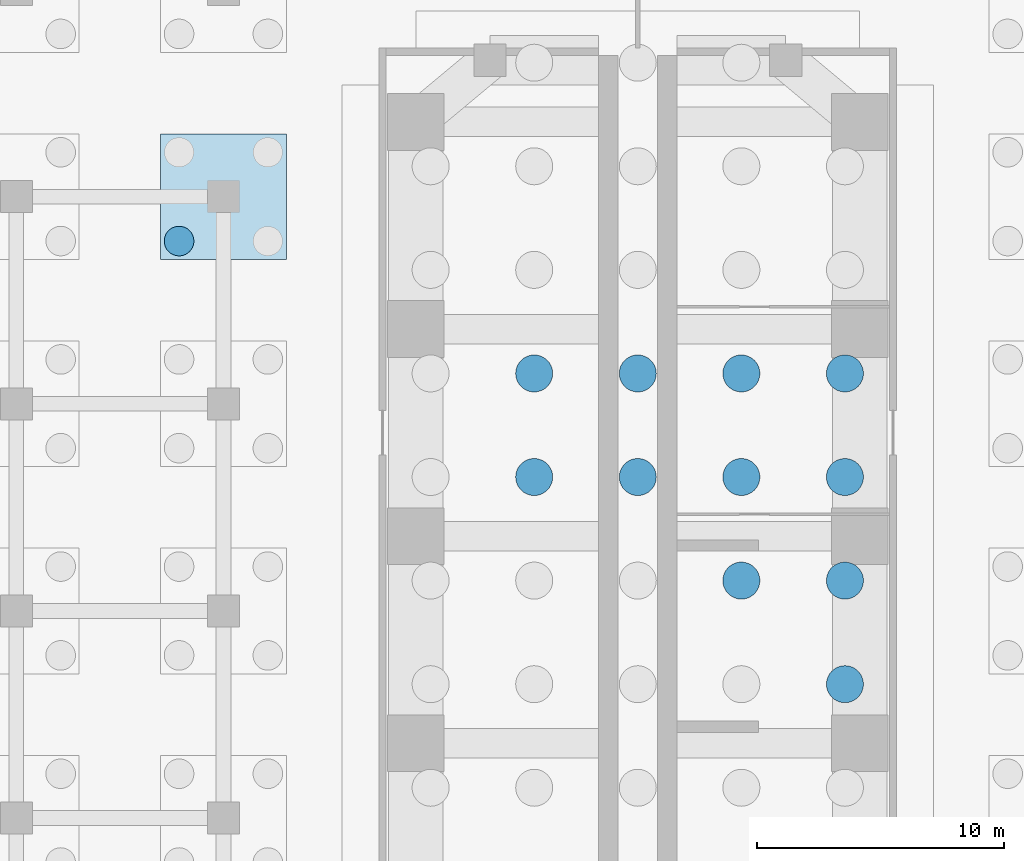
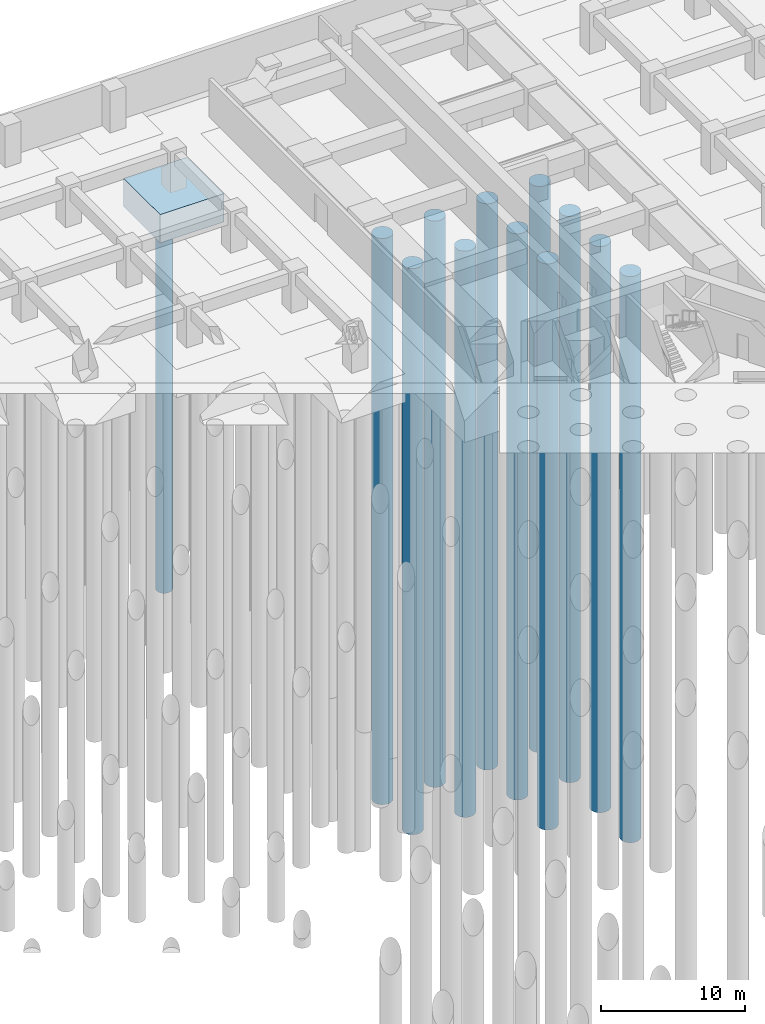
# One storey, part 38 of 73: 12 piles, 1 footing.
"""IFC4 building model written with IfcOpenShell, lengths in metres."""

from ifc_helpers import new_model, si_unit, direction, frame, origin, origin_2d, place, context, subcontext, project, spatial, polyline, circle, outline, extrude, material, material_profile, profile_set, type_object, element, save


model = new_model("IFC4")

# Units and contexts
model_context = context("Model", 3, precision=1e-05, world=origin(), true_north=direction((0.0, 1.0)))
body_context = subcontext(model_context, "Body", "Model", "MODEL_VIEW")
ifc_project = project(units=[si_unit("LENGTHUNIT", "METRE"), si_unit("AREAUNIT", "SQUARE_METRE"), si_unit("VOLUMEUNIT", "CUBIC_METRE"), si_unit("PLANEANGLEUNIT", "RADIAN"), si_unit("MASSUNIT", "GRAM", prefix="KILO")], contexts=[model_context])

# Site, building, storey
site_placement = place(None, origin())
site = spatial("IfcSite", under=ifc_project, at=site_placement, CompositionType="ELEMENT")
building_placement = place(site_placement, origin())
building = spatial("IfcBuilding", under=site, at=building_placement, Name="Impinga Residences", CompositionType="ELEMENT")
storey_placement = place(building_placement, frame((0.0, 0.0, -10.5)))
storey = spatial("IfcBuildingStorey", under=building, at=storey_placement, Name="B3", CompositionType="ELEMENT", Elevation=-10.5)

# Piles
ifc_material_1 = material(Name="Concrete C35/45", Category="concrete")
ifc_material_profile_1 = material_profile(ifc_material_1, circle(Radius=0.75, at=origin_2d()), Name="D1500")
ifc_profile_set_1 = profile_set([ifc_material_profile_1], Name="Concrete C35/45")
pile_type_1 = type_object("IfcPileType", Name="BP1 bored pile D1500", PredefinedType="BORED", material=ifc_profile_set_1)
pile_1_placement = place(storey_placement, frame((8.39990234375, 22.2314453125, -4.0), z_axis=(0.0, 0.0, -1.0), x_axis=(1.0, 0.0, 0.0)))
element("IfcPile", 1, at=pile_1_placement, inside=storey, type_object=pile_type_1, Name="Raft pile BP1-123", PredefinedType="BORED", context=body_context, shape_type="SweptSolid", body=[
    extrude(outline(polyline([(0.75, 0.0), (0.746337890625, 0.073486328125), (0.735595703125, 0.146240234375), (0.7177734375, 0.2177734375), (0.69287109375, 0.287109375), (0.661376953125, 0.353515625), (0.62353515625, 0.416748046875), (0.579833984375, 0.475830078125), (0.5302734375, 0.5302734375), (0.475830078125, 0.579833984375), (0.416748046875, 0.62353515625), (0.353515625, 0.661376953125), (0.287109375, 0.69287109375), (0.2177734375, 0.7177734375), (0.146240234375, 0.735595703125), (0.073486328125, 0.746337890625), (0.0, 0.75), (-0.073486328125, 0.746337890625), (-0.146240234375, 0.735595703125), (-0.2177734375, 0.7177734375), (-0.287109375, 0.69287109375), (-0.353515625, 0.661376953125), (-0.416748046875, 0.62353515625), (-0.475830078125, 0.579833984375), (-0.5302734375, 0.5302734375), (-0.579833984375, 0.475830078125), (-0.62353515625, 0.416748046875), (-0.661376953125, 0.353515625), (-0.69287109375, 0.287109375), (-0.7177734375, 0.2177734375), (-0.735595703125, 0.146240234375), (-0.746337890625, 0.073486328125), (-0.75, 0.0), (-0.746337890625, -0.073486328125), (-0.735595703125, -0.146240234375), (-0.7177734375, -0.2177734375), (-0.69287109375, -0.287109375), (-0.661376953125, -0.353515625), (-0.62353515625, -0.416748046875), (-0.579833984375, -0.475830078125), (-0.5302734375, -0.5302734375), (-0.475830078125, -0.579833984375), (-0.416748046875, -0.62353515625), (-0.353515625, -0.661376953125), (-0.287109375, -0.69287109375), (-0.2177734375, -0.7177734375), (-0.146240234375, -0.735595703125), (-0.073486328125, -0.746337890625), (0.0, -0.75), (0.073486328125, -0.746337890625), (0.146240234375, -0.735595703125), (0.2177734375, -0.7177734375), (0.287109375, -0.69287109375), (0.353515625, -0.661376953125), (0.416748046875, -0.62353515625), (0.475830078125, -0.579833984375), (0.5302734375, -0.5302734375), (0.579833984375, -0.475830078125), (0.62353515625, -0.416748046875), (0.661376953125, -0.353515625), (0.69287109375, -0.287109375), (0.7177734375, -0.2177734375), (0.735595703125, -0.146240234375), (0.746337890625, -0.073486328125), (0.75, 0.0)])), origin(), (0.0, 0.0, 1.0), 48.0),
])
pile_2_placement = place(storey_placement, frame((4.199951171875, 26.431640625, -4.0), z_axis=(0.0, 0.0, -1.0), x_axis=(1.0, 0.0, 0.0)))
element("IfcPile", 2, at=pile_2_placement, inside=storey, type_object=pile_type_1, Name="Raft pile BP1-127", PredefinedType="BORED", context=body_context, shape_type="SweptSolid", body=[
    extrude(outline(polyline([(0.75, 0.0), (0.746337890625, 0.073486328125), (0.735595703125, 0.146240234375), (0.7177734375, 0.2177734375), (0.69287109375, 0.287109375), (0.661376953125, 0.353515625), (0.62353515625, 0.416748046875), (0.579833984375, 0.475830078125), (0.5302734375, 0.5302734375), (0.475830078125, 0.579833984375), (0.416748046875, 0.62353515625), (0.353515625, 0.661376953125), (0.287109375, 0.69287109375), (0.2177734375, 0.7177734375), (0.146240234375, 0.735595703125), (0.073486328125, 0.746337890625), (0.0, 0.75), (-0.073486328125, 0.746337890625), (-0.146240234375, 0.735595703125), (-0.2177734375, 0.7177734375), (-0.287109375, 0.69287109375), (-0.353515625, 0.661376953125), (-0.416748046875, 0.62353515625), (-0.475830078125, 0.579833984375), (-0.5302734375, 0.5302734375), (-0.579833984375, 0.475830078125), (-0.62353515625, 0.416748046875), (-0.661376953125, 0.353515625), (-0.69287109375, 0.287109375), (-0.7177734375, 0.2177734375), (-0.735595703125, 0.146240234375), (-0.746337890625, 0.073486328125), (-0.75, 0.0), (-0.746337890625, -0.073486328125), (-0.735595703125, -0.146240234375), (-0.7177734375, -0.2177734375), (-0.69287109375, -0.287109375), (-0.661376953125, -0.353515625), (-0.62353515625, -0.416748046875), (-0.579833984375, -0.475830078125), (-0.5302734375, -0.5302734375), (-0.475830078125, -0.579833984375), (-0.416748046875, -0.62353515625), (-0.353515625, -0.661376953125), (-0.287109375, -0.69287109375), (-0.2177734375, -0.7177734375), (-0.146240234375, -0.735595703125), (-0.073486328125, -0.746337890625), (0.0, -0.75), (0.073486328125, -0.746337890625), (0.146240234375, -0.735595703125), (0.2177734375, -0.7177734375), (0.287109375, -0.69287109375), (0.353515625, -0.661376953125), (0.416748046875, -0.62353515625), (0.475830078125, -0.579833984375), (0.5302734375, -0.5302734375), (0.579833984375, -0.475830078125), (0.62353515625, -0.416748046875), (0.661376953125, -0.353515625), (0.69287109375, -0.287109375), (0.7177734375, -0.2177734375), (0.735595703125, -0.146240234375), (0.746337890625, -0.073486328125), (0.75, 0.0)])), origin(), (0.0, 0.0, 1.0), 48.0),
])
pile_3_placement = place(storey_placement, frame((8.39990234375, 26.431640625, -4.0), z_axis=(0.0, 0.0, -1.0), x_axis=(1.0, 0.0, 0.0)))
element("IfcPile", 3, at=pile_3_placement, inside=storey, type_object=pile_type_1, Name="Raft pile BP1-128", PredefinedType="BORED", context=body_context, shape_type="SweptSolid", body=[
    extrude(outline(polyline([(0.75, 0.0), (0.746337890625, 0.073486328125), (0.735595703125, 0.146240234375), (0.7177734375, 0.2177734375), (0.69287109375, 0.287109375), (0.661376953125, 0.353515625), (0.62353515625, 0.416748046875), (0.579833984375, 0.475830078125), (0.5302734375, 0.5302734375), (0.475830078125, 0.579833984375), (0.416748046875, 0.62353515625), (0.353515625, 0.661376953125), (0.287109375, 0.69287109375), (0.2177734375, 0.7177734375), (0.146240234375, 0.735595703125), (0.073486328125, 0.746337890625), (0.0, 0.75), (-0.073486328125, 0.746337890625), (-0.146240234375, 0.735595703125), (-0.2177734375, 0.7177734375), (-0.287109375, 0.69287109375), (-0.353515625, 0.661376953125), (-0.416748046875, 0.62353515625), (-0.475830078125, 0.579833984375), (-0.5302734375, 0.5302734375), (-0.579833984375, 0.475830078125), (-0.62353515625, 0.416748046875), (-0.661376953125, 0.353515625), (-0.69287109375, 0.287109375), (-0.7177734375, 0.2177734375), (-0.735595703125, 0.146240234375), (-0.746337890625, 0.073486328125), (-0.75, 0.0), (-0.746337890625, -0.073486328125), (-0.735595703125, -0.146240234375), (-0.7177734375, -0.2177734375), (-0.69287109375, -0.287109375), (-0.661376953125, -0.353515625), (-0.62353515625, -0.416748046875), (-0.579833984375, -0.475830078125), (-0.5302734375, -0.5302734375), (-0.475830078125, -0.579833984375), (-0.416748046875, -0.62353515625), (-0.353515625, -0.661376953125), (-0.287109375, -0.69287109375), (-0.2177734375, -0.7177734375), (-0.146240234375, -0.735595703125), (-0.073486328125, -0.746337890625), (0.0, -0.75), (0.073486328125, -0.746337890625), (0.146240234375, -0.735595703125), (0.2177734375, -0.7177734375), (0.287109375, -0.69287109375), (0.353515625, -0.661376953125), (0.416748046875, -0.62353515625), (0.475830078125, -0.579833984375), (0.5302734375, -0.5302734375), (0.579833984375, -0.475830078125), (0.62353515625, -0.416748046875), (0.661376953125, -0.353515625), (0.69287109375, -0.287109375), (0.7177734375, -0.2177734375), (0.735595703125, -0.146240234375), (0.746337890625, -0.073486328125), (0.75, 0.0)])), origin(), (0.0, 0.0, 1.0), 48.0),
])
pile_4_placement = place(storey_placement, frame((-4.199951171875, 30.631591796875, -4.0), z_axis=(0.0, 0.0, -1.0), x_axis=(1.0, 0.0, 0.0)))
element("IfcPile", 4, at=pile_4_placement, inside=storey, type_object=pile_type_1, Name="Raft pile BP1-130", PredefinedType="BORED", context=body_context, shape_type="SweptSolid", body=[
    extrude(outline(polyline([(0.75, 0.0), (0.746337890625, 0.073486328125), (0.735595703125, 0.146240234375), (0.7177734375, 0.2177734375), (0.69287109375, 0.287109375), (0.661376953125, 0.353515625), (0.62353515625, 0.416748046875), (0.579833984375, 0.475830078125), (0.5302734375, 0.5302734375), (0.475830078125, 0.579833984375), (0.416748046875, 0.62353515625), (0.353515625, 0.661376953125), (0.287109375, 0.69287109375), (0.2177734375, 0.7177734375), (0.146240234375, 0.735595703125), (0.073486328125, 0.746337890625), (0.0, 0.75), (-0.073486328125, 0.746337890625), (-0.146240234375, 0.735595703125), (-0.2177734375, 0.7177734375), (-0.287109375, 0.69287109375), (-0.353515625, 0.661376953125), (-0.416748046875, 0.62353515625), (-0.475830078125, 0.579833984375), (-0.5302734375, 0.5302734375), (-0.579833984375, 0.475830078125), (-0.62353515625, 0.416748046875), (-0.661376953125, 0.353515625), (-0.69287109375, 0.287109375), (-0.7177734375, 0.2177734375), (-0.735595703125, 0.146240234375), (-0.746337890625, 0.073486328125), (-0.75, 0.0), (-0.746337890625, -0.073486328125), (-0.735595703125, -0.146240234375), (-0.7177734375, -0.2177734375), (-0.69287109375, -0.287109375), (-0.661376953125, -0.353515625), (-0.62353515625, -0.416748046875), (-0.579833984375, -0.475830078125), (-0.5302734375, -0.5302734375), (-0.475830078125, -0.579833984375), (-0.416748046875, -0.62353515625), (-0.353515625, -0.661376953125), (-0.287109375, -0.69287109375), (-0.2177734375, -0.7177734375), (-0.146240234375, -0.735595703125), (-0.073486328125, -0.746337890625), (0.0, -0.75), (0.073486328125, -0.746337890625), (0.146240234375, -0.735595703125), (0.2177734375, -0.7177734375), (0.287109375, -0.69287109375), (0.353515625, -0.661376953125), (0.416748046875, -0.62353515625), (0.475830078125, -0.579833984375), (0.5302734375, -0.5302734375), (0.579833984375, -0.475830078125), (0.62353515625, -0.416748046875), (0.661376953125, -0.353515625), (0.69287109375, -0.287109375), (0.7177734375, -0.2177734375), (0.735595703125, -0.146240234375), (0.746337890625, -0.073486328125), (0.75, 0.0)])), origin(), (0.0, 0.0, 1.0), 48.0),
])
pile_5_placement = place(storey_placement, frame((0.0, 30.631591796875, -4.0), z_axis=(0.0, 0.0, -1.0), x_axis=(1.0, 0.0, 0.0)))
element("IfcPile", 5, at=pile_5_placement, inside=storey, type_object=pile_type_1, Name="Raft pile BP1-131", PredefinedType="BORED", context=body_context, shape_type="SweptSolid", body=[
    extrude(outline(polyline([(0.75, 0.0), (0.746337890625, 0.073486328125), (0.735595703125, 0.146240234375), (0.7177734375, 0.2177734375), (0.69287109375, 0.287109375), (0.661376953125, 0.353515625), (0.62353515625, 0.416748046875), (0.579833984375, 0.475830078125), (0.5302734375, 0.5302734375), (0.475830078125, 0.579833984375), (0.416748046875, 0.62353515625), (0.353515625, 0.661376953125), (0.287109375, 0.69287109375), (0.2177734375, 0.7177734375), (0.146240234375, 0.735595703125), (0.073486328125, 0.746337890625), (0.0, 0.75), (-0.073486328125, 0.746337890625), (-0.146240234375, 0.735595703125), (-0.2177734375, 0.7177734375), (-0.287109375, 0.69287109375), (-0.353515625, 0.661376953125), (-0.416748046875, 0.62353515625), (-0.475830078125, 0.579833984375), (-0.5302734375, 0.5302734375), (-0.579833984375, 0.475830078125), (-0.62353515625, 0.416748046875), (-0.661376953125, 0.353515625), (-0.69287109375, 0.287109375), (-0.7177734375, 0.2177734375), (-0.735595703125, 0.146240234375), (-0.746337890625, 0.073486328125), (-0.75, 0.0), (-0.746337890625, -0.073486328125), (-0.735595703125, -0.146240234375), (-0.7177734375, -0.2177734375), (-0.69287109375, -0.287109375), (-0.661376953125, -0.353515625), (-0.62353515625, -0.416748046875), (-0.579833984375, -0.475830078125), (-0.5302734375, -0.5302734375), (-0.475830078125, -0.579833984375), (-0.416748046875, -0.62353515625), (-0.353515625, -0.661376953125), (-0.287109375, -0.69287109375), (-0.2177734375, -0.7177734375), (-0.146240234375, -0.735595703125), (-0.073486328125, -0.746337890625), (0.0, -0.75), (0.073486328125, -0.746337890625), (0.146240234375, -0.735595703125), (0.2177734375, -0.7177734375), (0.287109375, -0.69287109375), (0.353515625, -0.661376953125), (0.416748046875, -0.62353515625), (0.475830078125, -0.579833984375), (0.5302734375, -0.5302734375), (0.579833984375, -0.475830078125), (0.62353515625, -0.416748046875), (0.661376953125, -0.353515625), (0.69287109375, -0.287109375), (0.7177734375, -0.2177734375), (0.735595703125, -0.146240234375), (0.746337890625, -0.073486328125), (0.75, 0.0)])), origin(), (0.0, 0.0, 1.0), 48.0),
])
pile_6_placement = place(storey_placement, frame((4.199951171875, 30.631591796875, -4.0), z_axis=(0.0, 0.0, -1.0), x_axis=(1.0, 0.0, 0.0)))
element("IfcPile", 6, at=pile_6_placement, inside=storey, type_object=pile_type_1, Name="Raft pile BP1-132", PredefinedType="BORED", context=body_context, shape_type="SweptSolid", body=[
    extrude(outline(polyline([(0.75, 0.0), (0.746337890625, 0.073486328125), (0.735595703125, 0.146240234375), (0.7177734375, 0.2177734375), (0.69287109375, 0.287109375), (0.661376953125, 0.353515625), (0.62353515625, 0.416748046875), (0.579833984375, 0.475830078125), (0.5302734375, 0.5302734375), (0.475830078125, 0.579833984375), (0.416748046875, 0.62353515625), (0.353515625, 0.661376953125), (0.287109375, 0.69287109375), (0.2177734375, 0.7177734375), (0.146240234375, 0.735595703125), (0.073486328125, 0.746337890625), (0.0, 0.75), (-0.073486328125, 0.746337890625), (-0.146240234375, 0.735595703125), (-0.2177734375, 0.7177734375), (-0.287109375, 0.69287109375), (-0.353515625, 0.661376953125), (-0.416748046875, 0.62353515625), (-0.475830078125, 0.579833984375), (-0.5302734375, 0.5302734375), (-0.579833984375, 0.475830078125), (-0.62353515625, 0.416748046875), (-0.661376953125, 0.353515625), (-0.69287109375, 0.287109375), (-0.7177734375, 0.2177734375), (-0.735595703125, 0.146240234375), (-0.746337890625, 0.073486328125), (-0.75, 0.0), (-0.746337890625, -0.073486328125), (-0.735595703125, -0.146240234375), (-0.7177734375, -0.2177734375), (-0.69287109375, -0.287109375), (-0.661376953125, -0.353515625), (-0.62353515625, -0.416748046875), (-0.579833984375, -0.475830078125), (-0.5302734375, -0.5302734375), (-0.475830078125, -0.579833984375), (-0.416748046875, -0.62353515625), (-0.353515625, -0.661376953125), (-0.287109375, -0.69287109375), (-0.2177734375, -0.7177734375), (-0.146240234375, -0.735595703125), (-0.073486328125, -0.746337890625), (0.0, -0.75), (0.073486328125, -0.746337890625), (0.146240234375, -0.735595703125), (0.2177734375, -0.7177734375), (0.287109375, -0.69287109375), (0.353515625, -0.661376953125), (0.416748046875, -0.62353515625), (0.475830078125, -0.579833984375), (0.5302734375, -0.5302734375), (0.579833984375, -0.475830078125), (0.62353515625, -0.416748046875), (0.661376953125, -0.353515625), (0.69287109375, -0.287109375), (0.7177734375, -0.2177734375), (0.735595703125, -0.146240234375), (0.746337890625, -0.073486328125), (0.75, 0.0)])), origin(), (0.0, 0.0, 1.0), 48.0),
])
pile_7_placement = place(storey_placement, frame((8.39990234375, 30.631591796875, -4.0), z_axis=(0.0, 0.0, -1.0), x_axis=(1.0, 0.0, 0.0)))
element("IfcPile", 7, at=pile_7_placement, inside=storey, type_object=pile_type_1, Name="Raft pile BP1-133", PredefinedType="BORED", context=body_context, shape_type="SweptSolid", body=[
    extrude(outline(polyline([(0.75, 0.0), (0.746337890625, 0.073486328125), (0.735595703125, 0.146240234375), (0.7177734375, 0.2177734375), (0.69287109375, 0.287109375), (0.661376953125, 0.353515625), (0.62353515625, 0.416748046875), (0.579833984375, 0.475830078125), (0.5302734375, 0.5302734375), (0.475830078125, 0.579833984375), (0.416748046875, 0.62353515625), (0.353515625, 0.661376953125), (0.287109375, 0.69287109375), (0.2177734375, 0.7177734375), (0.146240234375, 0.735595703125), (0.073486328125, 0.746337890625), (0.0, 0.75), (-0.073486328125, 0.746337890625), (-0.146240234375, 0.735595703125), (-0.2177734375, 0.7177734375), (-0.287109375, 0.69287109375), (-0.353515625, 0.661376953125), (-0.416748046875, 0.62353515625), (-0.475830078125, 0.579833984375), (-0.5302734375, 0.5302734375), (-0.579833984375, 0.475830078125), (-0.62353515625, 0.416748046875), (-0.661376953125, 0.353515625), (-0.69287109375, 0.287109375), (-0.7177734375, 0.2177734375), (-0.735595703125, 0.146240234375), (-0.746337890625, 0.073486328125), (-0.75, 0.0), (-0.746337890625, -0.073486328125), (-0.735595703125, -0.146240234375), (-0.7177734375, -0.2177734375), (-0.69287109375, -0.287109375), (-0.661376953125, -0.353515625), (-0.62353515625, -0.416748046875), (-0.579833984375, -0.475830078125), (-0.5302734375, -0.5302734375), (-0.475830078125, -0.579833984375), (-0.416748046875, -0.62353515625), (-0.353515625, -0.661376953125), (-0.287109375, -0.69287109375), (-0.2177734375, -0.7177734375), (-0.146240234375, -0.735595703125), (-0.073486328125, -0.746337890625), (0.0, -0.75), (0.073486328125, -0.746337890625), (0.146240234375, -0.735595703125), (0.2177734375, -0.7177734375), (0.287109375, -0.69287109375), (0.353515625, -0.661376953125), (0.416748046875, -0.62353515625), (0.475830078125, -0.579833984375), (0.5302734375, -0.5302734375), (0.579833984375, -0.475830078125), (0.62353515625, -0.416748046875), (0.661376953125, -0.353515625), (0.69287109375, -0.287109375), (0.7177734375, -0.2177734375), (0.735595703125, -0.146240234375), (0.746337890625, -0.073486328125), (0.75, 0.0)])), origin(), (0.0, 0.0, 1.0), 48.0),
])
pile_8_placement = place(storey_placement, frame((-4.199951171875, 34.83154296875, -4.0), z_axis=(0.0, 0.0, -1.0), x_axis=(1.0, 0.0, 0.0)))
element("IfcPile", 8, at=pile_8_placement, inside=storey, type_object=pile_type_1, Name="Raft pile BP1-135", PredefinedType="BORED", context=body_context, shape_type="SweptSolid", body=[
    extrude(outline(polyline([(0.75, 0.0), (0.746337890625, 0.073486328125), (0.735595703125, 0.146240234375), (0.7177734375, 0.2177734375), (0.69287109375, 0.287109375), (0.661376953125, 0.353515625), (0.62353515625, 0.416748046875), (0.579833984375, 0.475830078125), (0.5302734375, 0.5302734375), (0.475830078125, 0.579833984375), (0.416748046875, 0.62353515625), (0.353515625, 0.661376953125), (0.287109375, 0.69287109375), (0.2177734375, 0.7177734375), (0.146240234375, 0.735595703125), (0.073486328125, 0.746337890625), (0.0, 0.75), (-0.073486328125, 0.746337890625), (-0.146240234375, 0.735595703125), (-0.2177734375, 0.7177734375), (-0.287109375, 0.69287109375), (-0.353515625, 0.661376953125), (-0.416748046875, 0.62353515625), (-0.475830078125, 0.579833984375), (-0.5302734375, 0.5302734375), (-0.579833984375, 0.475830078125), (-0.62353515625, 0.416748046875), (-0.661376953125, 0.353515625), (-0.69287109375, 0.287109375), (-0.7177734375, 0.2177734375), (-0.735595703125, 0.146240234375), (-0.746337890625, 0.073486328125), (-0.75, 0.0), (-0.746337890625, -0.073486328125), (-0.735595703125, -0.146240234375), (-0.7177734375, -0.2177734375), (-0.69287109375, -0.287109375), (-0.661376953125, -0.353515625), (-0.62353515625, -0.416748046875), (-0.579833984375, -0.475830078125), (-0.5302734375, -0.5302734375), (-0.475830078125, -0.579833984375), (-0.416748046875, -0.62353515625), (-0.353515625, -0.661376953125), (-0.287109375, -0.69287109375), (-0.2177734375, -0.7177734375), (-0.146240234375, -0.735595703125), (-0.073486328125, -0.746337890625), (0.0, -0.75), (0.073486328125, -0.746337890625), (0.146240234375, -0.735595703125), (0.2177734375, -0.7177734375), (0.287109375, -0.69287109375), (0.353515625, -0.661376953125), (0.416748046875, -0.62353515625), (0.475830078125, -0.579833984375), (0.5302734375, -0.5302734375), (0.579833984375, -0.475830078125), (0.62353515625, -0.416748046875), (0.661376953125, -0.353515625), (0.69287109375, -0.287109375), (0.7177734375, -0.2177734375), (0.735595703125, -0.146240234375), (0.746337890625, -0.073486328125), (0.75, 0.0)])), origin(), (0.0, 0.0, 1.0), 48.0),
])
pile_9_placement = place(storey_placement, frame((0.0, 34.83154296875, -4.0), z_axis=(0.0, 0.0, -1.0), x_axis=(1.0, 0.0, 0.0)))
element("IfcPile", 9, at=pile_9_placement, inside=storey, type_object=pile_type_1, Name="Raft pile BP1-136", PredefinedType="BORED", context=body_context, shape_type="SweptSolid", body=[
    extrude(outline(polyline([(0.75, 0.0), (0.746337890625, 0.073486328125), (0.735595703125, 0.146240234375), (0.7177734375, 0.2177734375), (0.69287109375, 0.287109375), (0.661376953125, 0.353515625), (0.62353515625, 0.416748046875), (0.579833984375, 0.475830078125), (0.5302734375, 0.5302734375), (0.475830078125, 0.579833984375), (0.416748046875, 0.62353515625), (0.353515625, 0.661376953125), (0.287109375, 0.69287109375), (0.2177734375, 0.7177734375), (0.146240234375, 0.735595703125), (0.073486328125, 0.746337890625), (0.0, 0.75), (-0.073486328125, 0.746337890625), (-0.146240234375, 0.735595703125), (-0.2177734375, 0.7177734375), (-0.287109375, 0.69287109375), (-0.353515625, 0.661376953125), (-0.416748046875, 0.62353515625), (-0.475830078125, 0.579833984375), (-0.5302734375, 0.5302734375), (-0.579833984375, 0.475830078125), (-0.62353515625, 0.416748046875), (-0.661376953125, 0.353515625), (-0.69287109375, 0.287109375), (-0.7177734375, 0.2177734375), (-0.735595703125, 0.146240234375), (-0.746337890625, 0.073486328125), (-0.75, 0.0), (-0.746337890625, -0.073486328125), (-0.735595703125, -0.146240234375), (-0.7177734375, -0.2177734375), (-0.69287109375, -0.287109375), (-0.661376953125, -0.353515625), (-0.62353515625, -0.416748046875), (-0.579833984375, -0.475830078125), (-0.5302734375, -0.5302734375), (-0.475830078125, -0.579833984375), (-0.416748046875, -0.62353515625), (-0.353515625, -0.661376953125), (-0.287109375, -0.69287109375), (-0.2177734375, -0.7177734375), (-0.146240234375, -0.735595703125), (-0.073486328125, -0.746337890625), (0.0, -0.75), (0.073486328125, -0.746337890625), (0.146240234375, -0.735595703125), (0.2177734375, -0.7177734375), (0.287109375, -0.69287109375), (0.353515625, -0.661376953125), (0.416748046875, -0.62353515625), (0.475830078125, -0.579833984375), (0.5302734375, -0.5302734375), (0.579833984375, -0.475830078125), (0.62353515625, -0.416748046875), (0.661376953125, -0.353515625), (0.69287109375, -0.287109375), (0.7177734375, -0.2177734375), (0.735595703125, -0.146240234375), (0.746337890625, -0.073486328125), (0.75, 0.0)])), origin(), (0.0, 0.0, 1.0), 48.0),
])
pile_10_placement = place(storey_placement, frame((4.199951171875, 34.83154296875, -4.0), z_axis=(0.0, 0.0, -1.0), x_axis=(1.0, 0.0, 0.0)))
element("IfcPile", 10, at=pile_10_placement, inside=storey, type_object=pile_type_1, Name="Raft pile BP1-137", PredefinedType="BORED", context=body_context, shape_type="SweptSolid", body=[
    extrude(outline(polyline([(0.75, 0.0), (0.746337890625, 0.073486328125), (0.735595703125, 0.146240234375), (0.7177734375, 0.2177734375), (0.69287109375, 0.287109375), (0.661376953125, 0.353515625), (0.62353515625, 0.416748046875), (0.579833984375, 0.475830078125), (0.5302734375, 0.5302734375), (0.475830078125, 0.579833984375), (0.416748046875, 0.62353515625), (0.353515625, 0.661376953125), (0.287109375, 0.69287109375), (0.2177734375, 0.7177734375), (0.146240234375, 0.735595703125), (0.073486328125, 0.746337890625), (0.0, 0.75), (-0.073486328125, 0.746337890625), (-0.146240234375, 0.735595703125), (-0.2177734375, 0.7177734375), (-0.287109375, 0.69287109375), (-0.353515625, 0.661376953125), (-0.416748046875, 0.62353515625), (-0.475830078125, 0.579833984375), (-0.5302734375, 0.5302734375), (-0.579833984375, 0.475830078125), (-0.62353515625, 0.416748046875), (-0.661376953125, 0.353515625), (-0.69287109375, 0.287109375), (-0.7177734375, 0.2177734375), (-0.735595703125, 0.146240234375), (-0.746337890625, 0.073486328125), (-0.75, 0.0), (-0.746337890625, -0.073486328125), (-0.735595703125, -0.146240234375), (-0.7177734375, -0.2177734375), (-0.69287109375, -0.287109375), (-0.661376953125, -0.353515625), (-0.62353515625, -0.416748046875), (-0.579833984375, -0.475830078125), (-0.5302734375, -0.5302734375), (-0.475830078125, -0.579833984375), (-0.416748046875, -0.62353515625), (-0.353515625, -0.661376953125), (-0.287109375, -0.69287109375), (-0.2177734375, -0.7177734375), (-0.146240234375, -0.735595703125), (-0.073486328125, -0.746337890625), (0.0, -0.75), (0.073486328125, -0.746337890625), (0.146240234375, -0.735595703125), (0.2177734375, -0.7177734375), (0.287109375, -0.69287109375), (0.353515625, -0.661376953125), (0.416748046875, -0.62353515625), (0.475830078125, -0.579833984375), (0.5302734375, -0.5302734375), (0.579833984375, -0.475830078125), (0.62353515625, -0.416748046875), (0.661376953125, -0.353515625), (0.69287109375, -0.287109375), (0.7177734375, -0.2177734375), (0.735595703125, -0.146240234375), (0.746337890625, -0.073486328125), (0.75, 0.0)])), origin(), (0.0, 0.0, 1.0), 48.0),
])
pile_11_placement = place(storey_placement, frame((8.39990234375, 34.83154296875, -4.0), z_axis=(0.0, 0.0, -1.0), x_axis=(1.0, 0.0, 0.0)))
element("IfcPile", 11, at=pile_11_placement, inside=storey, type_object=pile_type_1, Name="Raft pile BP1-138", PredefinedType="BORED", context=body_context, shape_type="SweptSolid", body=[
    extrude(outline(polyline([(0.75, 0.0), (0.746337890625, 0.073486328125), (0.735595703125, 0.146240234375), (0.7177734375, 0.2177734375), (0.69287109375, 0.287109375), (0.661376953125, 0.353515625), (0.62353515625, 0.416748046875), (0.579833984375, 0.475830078125), (0.5302734375, 0.5302734375), (0.475830078125, 0.579833984375), (0.416748046875, 0.62353515625), (0.353515625, 0.661376953125), (0.287109375, 0.69287109375), (0.2177734375, 0.7177734375), (0.146240234375, 0.735595703125), (0.073486328125, 0.746337890625), (0.0, 0.75), (-0.073486328125, 0.746337890625), (-0.146240234375, 0.735595703125), (-0.2177734375, 0.7177734375), (-0.287109375, 0.69287109375), (-0.353515625, 0.661376953125), (-0.416748046875, 0.62353515625), (-0.475830078125, 0.579833984375), (-0.5302734375, 0.5302734375), (-0.579833984375, 0.475830078125), (-0.62353515625, 0.416748046875), (-0.661376953125, 0.353515625), (-0.69287109375, 0.287109375), (-0.7177734375, 0.2177734375), (-0.735595703125, 0.146240234375), (-0.746337890625, 0.073486328125), (-0.75, 0.0), (-0.746337890625, -0.073486328125), (-0.735595703125, -0.146240234375), (-0.7177734375, -0.2177734375), (-0.69287109375, -0.287109375), (-0.661376953125, -0.353515625), (-0.62353515625, -0.416748046875), (-0.579833984375, -0.475830078125), (-0.5302734375, -0.5302734375), (-0.475830078125, -0.579833984375), (-0.416748046875, -0.62353515625), (-0.353515625, -0.661376953125), (-0.287109375, -0.69287109375), (-0.2177734375, -0.7177734375), (-0.146240234375, -0.735595703125), (-0.073486328125, -0.746337890625), (0.0, -0.75), (0.073486328125, -0.746337890625), (0.146240234375, -0.735595703125), (0.2177734375, -0.7177734375), (0.287109375, -0.69287109375), (0.353515625, -0.661376953125), (0.416748046875, -0.62353515625), (0.475830078125, -0.579833984375), (0.5302734375, -0.5302734375), (0.579833984375, -0.475830078125), (0.62353515625, -0.416748046875), (0.661376953125, -0.353515625), (0.69287109375, -0.287109375), (0.7177734375, -0.2177734375), (0.735595703125, -0.146240234375), (0.746337890625, -0.073486328125), (0.75, 0.0)])), origin(), (0.0, 0.0, 1.0), 48.0),
])
ifc_material_profile_2 = material_profile(ifc_material_1, circle(Radius=0.60009765625, at=origin_2d()), Name="D1200")
ifc_profile_set_2 = profile_set([ifc_material_profile_2], Name="Concrete C35/45")
pile_type_2 = type_object("IfcPileType", Name="BP2 bored pile D1200", PredefinedType="BORED", material=ifc_profile_set_2)
pile_12_placement = place(storey_placement, frame((-18.60009765625, 40.199951171875, -2.39990234375), z_axis=(0.0, 0.0, -1.0), x_axis=(1.0, 0.0, 0.0)))
element("IfcPile", 12, at=pile_12_placement, inside=storey, type_object=pile_type_2, Name="Cap pile BP2 5/L-1", PredefinedType="BORED", context=body_context, shape_type="SweptSolid", body=[
    extrude(outline(polyline([(0.60009765625, 0.0), (0.59716796875, 0.058837890625), (0.58837890625, 0.116943359375), (0.57421875, 0.174072265625), (0.554443359375, 0.2294921875), (0.529052734375, 0.282958984375), (0.498779296875, 0.333251953125), (0.4638671875, 0.380615234375), (0.42431640625, 0.42431640625), (0.380615234375, 0.4638671875), (0.333251953125, 0.498779296875), (0.282958984375, 0.529052734375), (0.2294921875, 0.554443359375), (0.174072265625, 0.57421875), (0.116943359375, 0.58837890625), (0.058837890625, 0.59716796875), (0.0, 0.60009765625), (-0.058837890625, 0.59716796875), (-0.116943359375, 0.58837890625), (-0.174072265625, 0.57421875), (-0.2294921875, 0.554443359375), (-0.282958984375, 0.529052734375), (-0.333251953125, 0.498779296875), (-0.380615234375, 0.4638671875), (-0.42431640625, 0.42431640625), (-0.4638671875, 0.380615234375), (-0.498779296875, 0.333251953125), (-0.529052734375, 0.282958984375), (-0.554443359375, 0.2294921875), (-0.57421875, 0.174072265625), (-0.58837890625, 0.116943359375), (-0.59716796875, 0.058837890625), (-0.60009765625, 0.0), (-0.59716796875, -0.058837890625), (-0.58837890625, -0.116943359375), (-0.57421875, -0.174072265625), (-0.554443359375, -0.2294921875), (-0.529052734375, -0.282958984375), (-0.498779296875, -0.333251953125), (-0.4638671875, -0.380615234375), (-0.42431640625, -0.42431640625), (-0.380615234375, -0.4638671875), (-0.333251953125, -0.498779296875), (-0.282958984375, -0.529052734375), (-0.2294921875, -0.554443359375), (-0.174072265625, -0.57421875), (-0.116943359375, -0.58837890625), (-0.058837890625, -0.59716796875), (0.0, -0.60009765625), (0.058837890625, -0.59716796875), (0.116943359375, -0.58837890625), (0.174072265625, -0.57421875), (0.2294921875, -0.554443359375), (0.282958984375, -0.529052734375), (0.333251953125, -0.498779296875), (0.380615234375, -0.4638671875), (0.42431640625, -0.42431640625), (0.4638671875, -0.380615234375), (0.498779296875, -0.333251953125), (0.529052734375, -0.282958984375), (0.554443359375, -0.2294921875), (0.57421875, -0.174072265625), (0.58837890625, -0.116943359375), (0.59716796875, -0.058837890625), (0.60009765625, 0.0)])), origin(), (0.0, 0.0, 1.0), 30.0),
])

# Footing
ifc_material_2 = material(Name="Concrete C45/55", Category="concrete")
footing_type = type_object("IfcFootingType", Name="PC4 four-pile cap 5100 square 2400 deep", PredefinedType="PILE_CAP", material=ifc_material_2)
footing_placement = place(storey_placement, frame((0.0, 0.0, -2.39990234375)))
element("IfcFooting", 13, at=footing_placement, inside=storey, type_object=footing_type, Name="Pile cap PC4 5/L", PredefinedType="PILE_CAP", context=body_context, shape_type="SweptSolid", body=[
    extrude(outline(polyline([(-14.25, 39.449951171875), (-14.25, 44.550048828125), (-19.35009765625, 44.550048828125), (-19.35009765625, 39.449951171875), (-14.25, 39.449951171875)])), origin(), (0.0, 0.0, 1.0), 2.39990234375),
])

save(model, "model.ifc")
